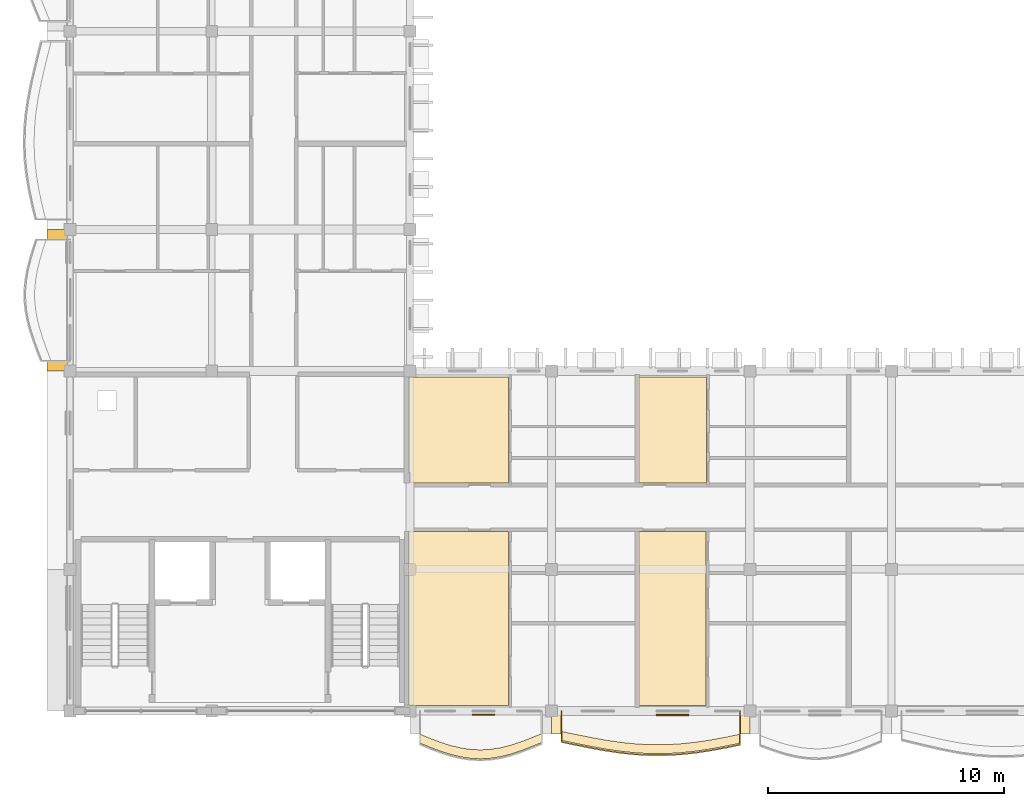
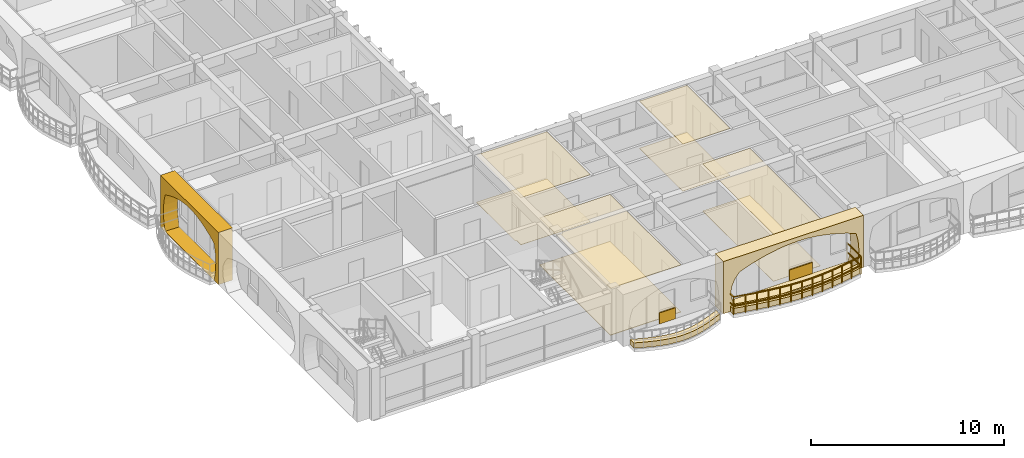
# One storey, part 40 of 66: 14 coverings, 1 railing.
"""IFC4 building model written with IfcOpenShell, lengths in metres."""

from ifc_helpers import new_model, si_unit, direction, frame, origin, origin_2d, place, context, subcontext, project, spatial, polyline, rectangle, outline, extrude, material, layer, layer_set, type_object, element, save


model = new_model("IFC4")

# Units and contexts
model_context = context("Model", 3, precision=1e-05, world=origin(), true_north=direction((0.0, 1.0)))
body_context = subcontext(model_context, "Body", "Model", "MODEL_VIEW")
ifc_project = project(units=[si_unit("LENGTHUNIT", "METRE"), si_unit("AREAUNIT", "SQUARE_METRE"), si_unit("VOLUMEUNIT", "CUBIC_METRE"), si_unit("PLANEANGLEUNIT", "RADIAN"), si_unit("MASSUNIT", "GRAM", prefix="KILO"), si_unit("THERMODYNAMICTEMPERATUREUNIT", "KELVIN")], contexts=[model_context])

# Site, building, storey
site_placement = place(None, origin())
site = spatial("IfcSite", under=ifc_project, at=site_placement, CompositionType="ELEMENT")
building_placement = place(site_placement, origin())
building = spatial("IfcBuilding", under=site, at=building_placement, Name="Thalorik Housing Commons", CompositionType="ELEMENT")
storey_placement = place(building_placement, frame((0.0, 0.0, 21.300048828125)))
storey = spatial("IfcBuildingStorey", under=building, at=storey_placement, Name="L06", CompositionType="ELEMENT", Elevation=21.300048828125)

# Coverings
ifc_material_1 = material(Name="Cobalt blue glazed ceramic facade tile panel", Category="masonry")
ifc_layer_1 = layer(ifc_material_1, 0.06005859375, Name="Cobalt blue glazed ceramic facade tile panel", Category="masonry")
ifc_layer_set_1 = layer_set([ifc_layer_1], Name="Cobalt blue glazed ceramic facade tile panel")
covering_type_1 = type_object("IfcCoveringType", Name="ARC-CLD-BLU-60", PredefinedType="CLADDING", material=ifc_layer_set_1)
covering_1_placement = place(storey_placement, frame((33.919921875, 8.235107421875, 0.0498046875), z_axis=(0.0, 0.0, 1.0), x_axis=(1.0, 0.0, 0.0)))
element("IfcCovering", 1, at=covering_1_placement, inside=storey, type_object=covering_type_1, Name="L06 De Stijl Recessed Window Spandrel 4092", PredefinedType="CLADDING", context=body_context, shape_type="SweptSolid", body=[
    extrude(rectangle(XDim=1.3798828125, YDim=0.06005859375, at=origin_2d()), origin(), (0.0, 0.0, 1.0), 0.699951171875),
])
ifc_material_2 = material(Name="Precast concrete C40/50", Category="concrete")
ifc_layer_2 = layer(ifc_material_2, 0.85009765625, Name="Precast concrete C40/50", Category="concrete")
ifc_layer_set_2 = layer_set([ifc_layer_2], Name="Precast concrete C40/50")
covering_type_2 = type_object("IfcCoveringType", Name="ARC-CLD-CUSH-850", PredefinedType="CLADDING", material=ifc_layer_set_2)
covering_2_placement = place(storey_placement, frame((7.844970703125, 25.800048828125, 0.0), z_axis=(0.0, 0.0, 1.0), x_axis=(0.0, -1.0, 0.0)))
element("IfcCovering", 2, at=covering_2_placement, inside=storey, type_object=covering_type_2, Name="L06 White Precast Curved Cushion Bay Frame 4083", PredefinedType="CLADDING", context=body_context, shape_type="SweptSolid", body=[
    extrude(outline(polyline([(-3.0, 0.0), (3.0, 0.0), (3.0, 3.300048828125), (-3.0, 3.300048828125), (-3.0, 0.0)]), holes=[polyline([(2.5625, 0.02490234375), (2.65478515625, 0.410888671875), (2.710205078125, 0.796630859375), (2.728759765625, 1.1826171875), (2.710205078125, 1.568359375), (2.65478515625, 1.9541015625), (2.5625, 2.340087890625), (2.13818359375, 2.552978515625), (1.714111328125, 2.720458984375), (1.2900390625, 2.85595703125), (0.86572265625, 2.956787109375), (0.441650390625, 3.01904296875), (0.017578125, 3.0400390625), (-0.40673828125, 3.01904296875), (-0.830810546875, 2.956787109375), (-1.2548828125, 2.85595703125), (-1.67919921875, 2.720458984375), (-2.103271484375, 2.552978515625), (-2.527587890625, 2.340087890625), (-2.627197265625, 1.9541015625), (-2.68701171875, 1.568359375), (-2.70703125, 1.1826171875), (-2.68701171875, 0.796630859375), (-2.627197265625, 0.410888671875), (-2.527587890625, 0.02490234375), (2.5625, 0.02490234375)])]), frame((0.0, 0.425048828125, 0.0), z_axis=(0.0, -1.0, 0.0), x_axis=(1.0, 0.0, 0.0)), (0.0, 0.0, 1.0), 0.85009765625),
])
covering_3_placement = place(storey_placement, frame((33.0, 7.844970703125, 0.0), z_axis=(0.0, 0.0, 1.0), x_axis=(1.0, 0.0, 0.0)))
element("IfcCovering", 3, at=covering_3_placement, inside=storey, type_object=covering_type_2, Name="L06 White Precast Curved Cushion Bay Frame 4091", PredefinedType="CLADDING", context=body_context, shape_type="SweptSolid", body=[
    extrude(outline(polyline([(-4.199951171875, 0.0), (4.199951171875, 0.0), (4.199951171875, 3.300048828125), (-4.199951171875, 3.300048828125), (-4.199951171875, 0.0)]), holes=[polyline([(3.760009765625, 0.02490234375), (3.852783203125, 0.404296875), (3.90869140625, 0.783203125), (3.92724609375, 1.16259765625), (3.90869140625, 1.541748046875), (3.852783203125, 1.9208984375), (3.760009765625, 2.300048828125), (3.1767578125, 2.525390625), (2.59326171875, 2.7021484375), (2.010009765625, 2.845458984375), (1.4267578125, 2.951904296875), (0.84326171875, 3.017822265625), (0.260009765625, 3.0400390625), (-0.3232421875, 3.017822265625), (-0.90673828125, 2.951904296875), (-1.489990234375, 2.845458984375), (-2.0732421875, 2.7021484375), (-2.65673828125, 2.525390625), (-3.239990234375, 2.300048828125), (-3.523193359375, 1.9208984375), (-3.693359375, 1.541748046875), (-3.75, 1.16259765625), (-3.693359375, 0.783203125), (-3.523193359375, 0.404296875), (-3.239990234375, 0.02490234375), (3.760009765625, 0.02490234375)])]), frame((0.0, 0.425048828125, 0.0), z_axis=(0.0, -1.0, 0.0), x_axis=(1.0, 0.0, 0.0)), (0.0, 0.0, 1.0), 0.85009765625),
])
ifc_material_3 = material(Name="Terracotta red mineral fibre-cement panel", Category="masonry")
ifc_layer_3 = layer(ifc_material_3, 0.054931640625, Name="Terracotta red mineral fibre-cement panel", Category="masonry")
ifc_layer_set_3 = layer_set([ifc_layer_3], Name="Terracotta red mineral fibre-cement panel")
covering_type_3 = type_object("IfcCoveringType", Name="ARC-CLD-RED-55", PredefinedType="CLADDING", material=ifc_layer_set_3)
covering_4_placement = place(storey_placement, frame((25.907470703125, 8.237548828125, 0.0498046875), z_axis=(0.0, 0.0, 1.0), x_axis=(1.0, 0.0, 0.0)))
element("IfcCovering", 4, at=covering_4_placement, inside=storey, type_object=covering_type_3, Name="L06 De Stijl Recessed Window Spandrel 4090", PredefinedType="CLADDING", context=body_context, shape_type="SweptSolid", body=[
    extrude(rectangle(XDim=0.949951171875, YDim=0.054931640625, at=origin_2d()), origin(), (0.0, 0.0, 1.0), 0.699951171875),
])
ifc_material_4 = material(Name="Perforated acoustic gypsum ceiling board")
ifc_layer_4 = layer(ifc_material_4, 0.014892578125, Name="Perforated acoustic gypsum ceiling board")
ifc_layer_set_4 = layer_set([ifc_layer_4], Name="Perforated acoustic gypsum ceiling board")
covering_type_4 = type_object("IfcCoveringType", Name="ARC-COV-CEIL-01", PredefinedType="CEILING", material=ifc_layer_set_4)
covering_5_placement = place(storey_placement, frame((0.0, 0.0, 2.98486328125)))
element("IfcCovering", 5, at=covering_5_placement, inside=storey, type_object=covering_type_4, Name="L06 Living Dining Room Suspended Ceiling", PredefinedType="CEILING", context=body_context, shape_type="SweptSolid", body=[
    extrude(outline(polyline([(22.739990234375, 18.4951171875), (22.80712890625, 18.4931640625), (22.81494140625, 18.47998046875), (22.81494140625, 18.06005859375), (26.9794921875, 18.06005859375), (26.9794921875, 22.56005859375), (22.739990234375, 22.56005859375), (22.739990234375, 18.4951171875)])), origin(), (0.0, 0.0, 1.0), 0.01513671875),
])
ifc_material_5 = material(Name="Mineral fibre acoustic ceiling tile")
ifc_layer_5 = layer(ifc_material_5, 0.01806640625, Name="Mineral fibre acoustic ceiling tile")
ifc_layer_set_5 = layer_set([ifc_layer_5], Name="Mineral fibre acoustic ceiling tile")
covering_type_5 = type_object("IfcCoveringType", Name="ARC-COV-CEIL-02", PredefinedType="CEILING", material=ifc_layer_set_5)
covering_6_placement = place(storey_placement, frame((0.0, 0.0, 2.98193359375)))
element("IfcCovering", 6, at=covering_6_placement, inside=storey, type_object=covering_type_5, Name="L06 Family Lounge Suspended Ceiling", PredefinedType="CEILING", context=body_context, shape_type="SweptSolid", body=[
    extrude(outline(polyline([(35.340087890625, 8.639892578125), (35.340087890625, 16.0), (32.510009765625, 16.0), (32.510009765625, 8.639892578125), (35.340087890625, 8.639892578125)])), origin(), (0.0, 0.0, 1.0), 0.01806640625),
])
ifc_material_6 = material(Name="Slatted timber acoustic hall baffle ceiling", Category="wood")
ifc_layer_6 = layer(ifc_material_6, 0.02197265625, Name="Slatted timber acoustic hall baffle ceiling", Category="wood")
ifc_layer_set_6 = layer_set([ifc_layer_6], Name="Slatted timber acoustic hall baffle ceiling")
covering_type_6 = type_object("IfcCoveringType", Name="ARC-COV-CEIL-03", PredefinedType="CEILING", material=ifc_layer_set_6)
covering_7_placement = place(storey_placement, frame((0.0, 0.0, 2.97802734375)))
element("IfcCovering", 7, at=covering_7_placement, inside=storey, type_object=covering_type_6, Name="L06 Sunlit Wintergarden Lounge Suspended Ceiling", PredefinedType="CEILING", context=body_context, shape_type="SweptSolid", body=[
    extrude(outline(polyline([(35.36083984375, 18.06005859375), (35.36083984375, 22.56005859375), (32.510009765625, 22.56005859375), (32.510009765625, 18.06005859375), (35.36083984375, 18.06005859375)])), origin(), (0.0, 0.0, 1.0), 0.02197265625),
])
ifc_material_7 = material(Name="Acoustic wood-wool nursery ceiling panel", Category="wood")
ifc_layer_7 = layer(ifc_material_7, 0.035888671875, Name="Acoustic wood-wool nursery ceiling panel", Category="wood")
ifc_layer_set_7 = layer_set([ifc_layer_7], Name="Acoustic wood-wool nursery ceiling panel")
covering_type_7 = type_object("IfcCoveringType", Name="ARC-COV-CEIL-06", PredefinedType="CEILING", material=ifc_layer_set_7)
covering_8_placement = place(storey_placement, frame((0.0, 0.0, 2.9638671875)))
element("IfcCovering", 8, at=covering_8_placement, inside=storey, type_object=covering_type_7, Name="L06 Living Dining Room Suspended Ceiling", PredefinedType="CEILING", context=body_context, shape_type="SweptSolid", body=[
    extrude(outline(polyline([(26.97509765625, 8.639892578125), (26.97509765625, 16.0), (22.739990234375, 16.0), (22.739990234375, 8.639892578125), (26.97509765625, 8.639892578125)])), origin(), (0.0, 0.0, 1.0), 0.0361328125),
])
ifc_material_8 = material(Name="Glazed Recife ceramic apartment floor tile")
ifc_layer_8 = layer(ifc_material_8, 0.011962890625, Name="Glazed Recife ceramic apartment floor tile")
ifc_layer_set_8 = layer_set([ifc_layer_8], Name="Glazed Recife ceramic apartment floor tile")
covering_type_8 = type_object("IfcCoveringType", Name="ARC-COV-FLR-01", PredefinedType="FLOORING", material=ifc_layer_set_8)
covering_9_placement = place(storey_placement, origin())
element("IfcCovering", 9, at=covering_9_placement, inside=storey, type_object=covering_type_8, Name="L06 Living Dining Room Flooring", PredefinedType="FLOORING", context=body_context, shape_type="SweptSolid", body=[
    extrude(outline(polyline([(22.739990234375, 18.4951171875), (22.80712890625, 18.4931640625), (22.81494140625, 18.47998046875), (22.81494140625, 18.06005859375), (26.9794921875, 18.06005859375), (26.9794921875, 22.56005859375), (22.739990234375, 22.56005859375), (22.739990234375, 18.4951171875)])), origin(), (0.0, 0.0, 1.0), 0.011962890625),
])
ifc_material_9 = material(Name="Slip-resistant quarry terracotta corridor tile", Category="masonry")
ifc_layer_9 = layer(ifc_material_9, 0.01611328125, Name="Slip-resistant quarry terracotta corridor tile", Category="masonry")
ifc_layer_set_9 = layer_set([ifc_layer_9], Name="Slip-resistant quarry terracotta corridor tile")
covering_type_9 = type_object("IfcCoveringType", Name="ARC-COV-FLR-02", PredefinedType="FLOORING", material=ifc_layer_set_9)
covering_10_placement = place(storey_placement, origin())
element("IfcCovering", 10, at=covering_10_placement, inside=storey, type_object=covering_type_9, Name="L06 Family Lounge Flooring", PredefinedType="FLOORING", context=body_context, shape_type="SweptSolid", body=[
    extrude(outline(polyline([(35.340087890625, 8.639892578125), (35.340087890625, 16.0), (32.510009765625, 16.0), (32.510009765625, 8.639892578125), (35.340087890625, 8.639892578125)])), origin(), (0.0, 0.0, 1.0), 0.015869140625),
])
ifc_material_10 = material(Name="Cushioned natural linoleum nursery playroom flooring")
ifc_layer_10 = layer(ifc_material_10, 0.02001953125, Name="Cushioned natural linoleum nursery playroom flooring")
ifc_layer_set_10 = layer_set([ifc_layer_10], Name="Cushioned natural linoleum nursery playroom flooring")
covering_type_10 = type_object("IfcCoveringType", Name="ARC-COV-FLR-03", PredefinedType="FLOORING", material=ifc_layer_set_10)
covering_11_placement = place(storey_placement, origin())
element("IfcCovering", 11, at=covering_11_placement, inside=storey, type_object=covering_type_10, Name="L06 Sunlit Wintergarden Lounge Flooring", PredefinedType="FLOORING", context=body_context, shape_type="SweptSolid", body=[
    extrude(outline(polyline([(35.36083984375, 18.06005859375), (35.36083984375, 22.56005859375), (32.510009765625, 22.56005859375), (32.510009765625, 18.06005859375), (35.36083984375, 18.06005859375)])), origin(), (0.0, 0.0, 1.0), 0.02001953125),
])
ifc_material_11 = material(Name="Epoxy-sealed concrete plant and bicycle hub finish", Category="concrete")
ifc_layer_11 = layer(ifc_material_11, 0.031982421875, Name="Epoxy-sealed concrete plant and bicycle hub finish", Category="concrete")
ifc_layer_set_11 = layer_set([ifc_layer_11], Name="Epoxy-sealed concrete plant and bicycle hub finish")
covering_type_11 = type_object("IfcCoveringType", Name="ARC-COV-FLR-06", PredefinedType="FLOORING", material=ifc_layer_set_11)
covering_12_placement = place(storey_placement, origin())
element("IfcCovering", 12, at=covering_12_placement, inside=storey, type_object=covering_type_11, Name="L06 Living Dining Room Flooring", PredefinedType="FLOORING", context=body_context, shape_type="SweptSolid", body=[
    extrude(outline(polyline([(26.97509765625, 8.639892578125), (26.97509765625, 16.0), (22.739990234375, 16.0), (22.739990234375, 8.639892578125), (26.97509765625, 8.639892578125)])), origin(), (0.0, 0.0, 1.0), 0.031982421875),
])
ifc_material_12 = material(Name="Planted vegetated substrate and terracotta trough", Category="masonry")
ifc_layer_12 = layer(ifc_material_12, 0.340087890625, Name="Planted vegetated substrate and terracotta trough", Category="masonry")
ifc_layer_set_12 = layer_set([ifc_layer_12], Name="Planted vegetated substrate and terracotta trough")
covering_type_12 = type_object("IfcCoveringType", Name="ARC-COV-PLANTER", PredefinedType="USERDEFINED", material=ifc_layer_set_12)
covering_13_placement = place(storey_placement, origin())
element("IfcCovering", 13, at=covering_13_placement, inside=storey, type_object=covering_type_12, Name="L06 Balcony Slab-Edge Planted Trough 5612", ObjectType="PLANTER", PredefinedType="USERDEFINED", context=body_context, shape_type="SweptSolid", body=[
    extrude(outline(polyline([(23.219970703125, 7.0361328125), (23.64990234375, 6.8603515625), (24.080078125, 6.697998046875), (24.510009765625, 6.560302734375), (24.93994140625, 6.45556640625), (25.3701171875, 6.39111328125), (25.800048828125, 6.37109375), (26.22998046875, 6.396728515625), (26.659912109375, 6.466796875), (27.090087890625, 6.576904296875), (27.52001953125, 6.71923828125), (27.949951171875, 6.885498046875), (28.3798828125, 7.064208984375), (28.3798828125, 7.444091796875), (27.949951171875, 7.265380859375), (27.52001953125, 7.099365234375), (27.090087890625, 6.956787109375), (26.659912109375, 6.846923828125), (26.22998046875, 6.77685546875), (25.800048828125, 6.7509765625), (25.3701171875, 6.77099609375), (24.93994140625, 6.83544921875), (24.510009765625, 6.940185546875), (24.080078125, 7.078125), (23.64990234375, 7.240234375), (23.219970703125, 7.416259765625), (23.219970703125, 7.0361328125)])), origin(), (0.0, 0.0, 1.0), 0.33984375),
])
covering_14_placement = place(storey_placement, origin())
element("IfcCovering", 14, at=covering_14_placement, inside=storey, type_object=covering_type_12, Name="L06 Balcony Slab-Edge Planted Trough 5613", ObjectType="PLANTER", PredefinedType="USERDEFINED", context=body_context, shape_type="SweptSolid", body=[
    extrude(outline(polyline([(29.219970703125, 7.152099609375), (29.85009765625, 7.02099609375), (30.47998046875, 6.894775390625), (31.110107421875, 6.781982421875), (31.739990234375, 6.68994140625), (32.3701171875, 6.625244140625), (33.0, 6.592041015625), (33.6298828125, 6.593017578125), (34.260009765625, 6.627685546875), (34.889892578125, 6.694580078125), (35.52001953125, 6.788818359375), (36.14990234375, 6.904296875), (36.780029296875, 7.03369140625), (36.780029296875, 7.41357421875), (36.14990234375, 7.284423828125), (35.52001953125, 7.168701171875), (34.889892578125, 7.074462890625), (34.260009765625, 7.0078125), (33.6298828125, 6.972900390625), (33.0, 6.97216796875), (32.3701171875, 7.005126953125), (31.739990234375, 7.070068359375), (31.110107421875, 7.161865234375), (30.47998046875, 7.27490234375), (29.85009765625, 7.401123046875), (29.219970703125, 7.5322265625), (29.219970703125, 7.152099609375)])), origin(), (0.0, 0.0, 1.0), 0.33984375),
])

# Railing
ifc_material_13 = material(Name="Steel S355", Category="steel")
railing_type = type_object("IfcRailingType", Name="ARC-RL-BAL-115", PredefinedType="BALUSTRADE", material=ifc_material_13)
railing_placement = place(storey_placement, frame((29.219970703125, 8.39990234375, 0.0)))
element("IfcRailing", 15, at=railing_placement, inside=storey, type_object=railing_type, Name="L06 Cushion Balcony Guardrail 297", PredefinedType="BALUSTRADE", context=body_context, shape_type="SweptSolid", body=[
    extrude(rectangle(XDim=0.050048828125, YDim=0.050048828125, at=origin_2d()), frame((0.0, 0.0, 1.125), z_axis=(0.0, -1.0, 0.0), x_axis=(1.0, 0.0, 0.0)), (0.0, 0.0, 1.0), 1.317626953125),
    extrude(rectangle(XDim=0.050048828125, YDim=0.050048828125, at=origin_2d()), frame((0.0, 0.0, 0.5498046875), z_axis=(0.0, -1.0, 0.0), x_axis=(1.0, 0.0, 0.0)), (0.0, 0.0, 1.0), 1.317626953125),
    extrude(rectangle(XDim=0.050048828125, YDim=0.050048828125, at=origin_2d()), frame((0.0, -1.317626953125, 1.125), z_axis=(0.979034033957, -0.20369673624, 0.0), x_axis=(0.20369673624, 0.979034033957, 0.0)), (0.0, 0.0, 1.0), 0.6435546875),
    extrude(rectangle(XDim=0.050048828125, YDim=0.050048828125, at=origin_2d()), frame((0.0, -1.317626953125, 0.5498046875), z_axis=(0.979034033957, -0.20369673624, 0.0), x_axis=(0.20369673624, 0.979034033957, 0.0)), (0.0, 0.0, 1.0), 0.6435546875),
    extrude(rectangle(XDim=0.050048828125, YDim=0.050048828125, at=origin_2d()), frame((0.630126953125, -1.44873046875, 1.125), z_axis=(0.980434244421, -0.19684687543, 0.0), x_axis=(0.19684687543, 0.980434244421, 0.0)), (0.0, 0.0, 1.0), 0.642333984375),
    extrude(rectangle(XDim=0.050048828125, YDim=0.050048828125, at=origin_2d()), frame((0.630126953125, -1.44873046875, 0.5498046875), z_axis=(0.980434244421, -0.19684687543, 0.0), x_axis=(0.19684687543, 0.980434244421, 0.0)), (0.0, 0.0, 1.0), 0.642333984375),
    extrude(rectangle(XDim=0.050048828125, YDim=0.050048828125, at=origin_2d()), frame((1.260009765625, -1.5751953125, 1.125), z_axis=(0.98435441919, -0.17619982242, 0.0), x_axis=(0.17619982242, 0.98435441919, 0.0)), (0.0, 0.0, 1.0), 0.64013671875),
    extrude(rectangle(XDim=0.050048828125, YDim=0.050048828125, at=origin_2d()), frame((1.260009765625, -1.5751953125, 0.5498046875), z_axis=(0.98435441919, -0.17619982242, 0.0), x_axis=(0.17619982242, 0.98435441919, 0.0)), (0.0, 0.0, 1.0), 0.64013671875),
    extrude(rectangle(XDim=0.050048828125, YDim=0.050048828125, at=origin_2d()), frame((1.89013671875, -1.68798828125, 1.125), z_axis=(0.989546668831, -0.144213002899, 0.0), x_axis=(0.144213002899, 0.989546668831, 0.0)), (0.0, 0.0, 1.0), 0.636474609375),
    extrude(rectangle(XDim=0.050048828125, YDim=0.050048828125, at=origin_2d()), frame((1.89013671875, -1.68798828125, 0.5498046875), z_axis=(0.989546668831, -0.144213002899, 0.0), x_axis=(0.144213002899, 0.989546668831, 0.0)), (0.0, 0.0, 1.0), 0.636474609375),
    extrude(rectangle(XDim=0.050048828125, YDim=0.050048828125, at=origin_2d()), frame((2.52001953125, -1.77978515625, 1.125), z_axis=(0.994731168104, -0.102517818952, 0.0), x_axis=(0.102517818952, 0.994731168104, 0.0)), (0.0, 0.0, 1.0), 0.633544921875),
    extrude(rectangle(XDim=0.050048828125, YDim=0.050048828125, at=origin_2d()), frame((2.52001953125, -1.77978515625, 0.5498046875), z_axis=(0.994731168104, -0.102517818952, 0.0), x_axis=(0.102517818952, 0.994731168104, 0.0)), (0.0, 0.0, 1.0), 0.633544921875),
    extrude(rectangle(XDim=0.050048828125, YDim=0.050048828125, at=origin_2d()), frame((3.150146484375, -1.8447265625, 1.125), z_axis=(0.99863382154, -0.052254095313, 0.0), x_axis=(0.052254095313, 0.99863382154, 0.0)), (0.0, 0.0, 1.0), 0.630859375),
    extrude(rectangle(XDim=0.050048828125, YDim=0.050048828125, at=origin_2d()), frame((3.150146484375, -1.8447265625, 0.5498046875), z_axis=(0.99863382154, -0.052254095313, 0.0), x_axis=(0.052254095313, 0.99863382154, 0.0)), (0.0, 0.0, 1.0), 0.630859375),
    extrude(rectangle(XDim=0.050048828125, YDim=0.050048828125, at=origin_2d()), frame((3.780029296875, -1.877685546875, 1.125), z_axis=(0.99999932396, 0.001162789912, 0.0), x_axis=(-0.001162789912, 0.99999932396, 0.0)), (0.0, 0.0, 1.0), 0.6298828125),
    extrude(rectangle(XDim=0.050048828125, YDim=0.050048828125, at=origin_2d()), frame((3.780029296875, -1.877685546875, 0.5498046875), z_axis=(0.99999932396, 0.001162789912, 0.0), x_axis=(-0.001162789912, 0.99999932396, 0.0)), (0.0, 0.0, 1.0), 0.6298828125),
    extrude(rectangle(XDim=0.050048828125, YDim=0.050048828125, at=origin_2d()), frame((4.409912109375, -1.876953125, 1.125), z_axis=(0.998468674169, 0.055320038902, 0.0), x_axis=(-0.055320038902, 0.998468674169, 0.0)), (0.0, 0.0, 1.0), 0.631103515625),
    extrude(rectangle(XDim=0.050048828125, YDim=0.050048828125, at=origin_2d()), frame((4.409912109375, -1.876953125, 0.5498046875), z_axis=(0.998468674169, 0.055320038902, 0.0), x_axis=(-0.055320038902, 0.998468674169, 0.0)), (0.0, 0.0, 1.0), 0.631103515625),
    extrude(rectangle(XDim=0.050048828125, YDim=0.050048828125, at=origin_2d()), frame((5.0400390625, -1.842041015625, 1.125), z_axis=(0.994448280622, 0.105226504112, 0.0), x_axis=(-0.105226504112, 0.994448280622, 0.0)), (0.0, 0.0, 1.0), 0.63330078125),
    extrude(rectangle(XDim=0.050048828125, YDim=0.050048828125, at=origin_2d()), frame((5.0400390625, -1.842041015625, 0.5498046875), z_axis=(0.994448280622, 0.105226504112, 0.0), x_axis=(-0.105226504112, 0.994448280622, 0.0)), (0.0, 0.0, 1.0), 0.63330078125),
    extrude(rectangle(XDim=0.050048828125, YDim=0.050048828125, at=origin_2d()), frame((5.669921875, -1.775390625, 1.125), z_axis=(0.989000903893, 0.147909472647, 0.0), x_axis=(-0.147909472647, 0.989000903893, 0.0)), (0.0, 0.0, 1.0), 0.63720703125),
    extrude(rectangle(XDim=0.050048828125, YDim=0.050048828125, at=origin_2d()), frame((5.669921875, -1.775390625, 0.5498046875), z_axis=(0.989000903893, 0.147909472647, 0.0), x_axis=(-0.147909472647, 0.989000903893, 0.0)), (0.0, 0.0, 1.0), 0.63720703125),
    extrude(rectangle(XDim=0.050048828125, YDim=0.050048828125, at=origin_2d()), frame((6.300048828125, -1.68115234375, 1.125), z_axis=(0.9835388712, 0.180696676337, 0.0), x_axis=(-0.180696676337, 0.9835388712, 0.0)), (0.0, 0.0, 1.0), 0.640380859375),
    extrude(rectangle(XDim=0.050048828125, YDim=0.050048828125, at=origin_2d()), frame((6.300048828125, -1.68115234375, 0.5498046875), z_axis=(0.9835388712, 0.180696676337, 0.0), x_axis=(-0.180696676337, 0.9835388712, 0.0)), (0.0, 0.0, 1.0), 0.640380859375),
    extrude(rectangle(XDim=0.050048828125, YDim=0.050048828125, at=origin_2d()), frame((6.929931640625, -1.5654296875, 1.125), z_axis=(0.979635255397, 0.200785373927, 0.0), x_axis=(-0.200785373927, 0.979635255397, 0.0)), (0.0, 0.0, 1.0), 0.643310546875),
    extrude(rectangle(XDim=0.050048828125, YDim=0.050048828125, at=origin_2d()), frame((6.929931640625, -1.5654296875, 0.5498046875), z_axis=(0.979635255397, 0.200785373927, 0.0), x_axis=(-0.200785373927, 0.979635255397, 0.0)), (0.0, 0.0, 1.0), 0.643310546875),
    extrude(rectangle(XDim=0.050048828125, YDim=0.050048828125, at=origin_2d()), frame((7.56005859375, -1.436279296875, 1.125), z_axis=(0.0, 1.0, 0.0), x_axis=(-1.0, 0.0, 0.0)), (0.0, 0.0, 1.0), 1.436279296875),
    extrude(rectangle(XDim=0.050048828125, YDim=0.050048828125, at=origin_2d()), frame((7.56005859375, -1.436279296875, 0.5498046875), z_axis=(0.0, 1.0, 0.0), x_axis=(-1.0, 0.0, 0.0)), (0.0, 0.0, 1.0), 1.436279296875),
    extrude(rectangle(XDim=0.0419921875, YDim=0.0419921875, at=origin_2d()), origin(), (0.0, 0.0, 1.0), 1.099853515625),
    extrude(rectangle(XDim=0.0419921875, YDim=0.0419921875, at=origin_2d()), frame((0.0, -1.317626953125, 0.0)), (0.0, 0.0, 1.0), 1.099853515625),
    extrude(rectangle(XDim=0.0419921875, YDim=0.0419921875, at=origin_2d()), frame((0.630126953125, -1.44873046875, 0.0)), (0.0, 0.0, 1.0), 1.099853515625),
    extrude(rectangle(XDim=0.0419921875, YDim=0.0419921875, at=origin_2d()), frame((1.260009765625, -1.5751953125, 0.0)), (0.0, 0.0, 1.0), 1.099853515625),
    extrude(rectangle(XDim=0.0419921875, YDim=0.0419921875, at=origin_2d()), frame((1.89013671875, -1.68798828125, 0.0)), (0.0, 0.0, 1.0), 1.099853515625),
    extrude(rectangle(XDim=0.0419921875, YDim=0.0419921875, at=origin_2d()), frame((2.52001953125, -1.77978515625, 0.0)), (0.0, 0.0, 1.0), 1.099853515625),
    extrude(rectangle(XDim=0.0419921875, YDim=0.0419921875, at=origin_2d()), frame((3.150146484375, -1.8447265625, 0.0)), (0.0, 0.0, 1.0), 1.099853515625),
    extrude(rectangle(XDim=0.0419921875, YDim=0.0419921875, at=origin_2d()), frame((3.780029296875, -1.877685546875, 0.0)), (0.0, 0.0, 1.0), 1.099853515625),
    extrude(rectangle(XDim=0.0419921875, YDim=0.0419921875, at=origin_2d()), frame((4.409912109375, -1.876953125, 0.0)), (0.0, 0.0, 1.0), 1.099853515625),
    extrude(rectangle(XDim=0.0419921875, YDim=0.0419921875, at=origin_2d()), frame((5.0400390625, -1.842041015625, 0.0)), (0.0, 0.0, 1.0), 1.099853515625),
    extrude(rectangle(XDim=0.0419921875, YDim=0.0419921875, at=origin_2d()), frame((5.669921875, -1.775390625, 0.0)), (0.0, 0.0, 1.0), 1.099853515625),
    extrude(rectangle(XDim=0.0419921875, YDim=0.0419921875, at=origin_2d()), frame((6.300048828125, -1.68115234375, 0.0)), (0.0, 0.0, 1.0), 1.099853515625),
    extrude(rectangle(XDim=0.0419921875, YDim=0.0419921875, at=origin_2d()), frame((6.929931640625, -1.5654296875, 0.0)), (0.0, 0.0, 1.0), 1.099853515625),
    extrude(rectangle(XDim=0.0419921875, YDim=0.0419921875, at=origin_2d()), frame((7.56005859375, -1.436279296875, 0.0)), (0.0, 0.0, 1.0), 1.099853515625),
    extrude(rectangle(XDim=0.0419921875, YDim=0.0419921875, at=origin_2d()), frame((7.56005859375, 0.0, 0.0)), (0.0, 0.0, 1.0), 1.099853515625),
])

save(model, "model.ifc")
